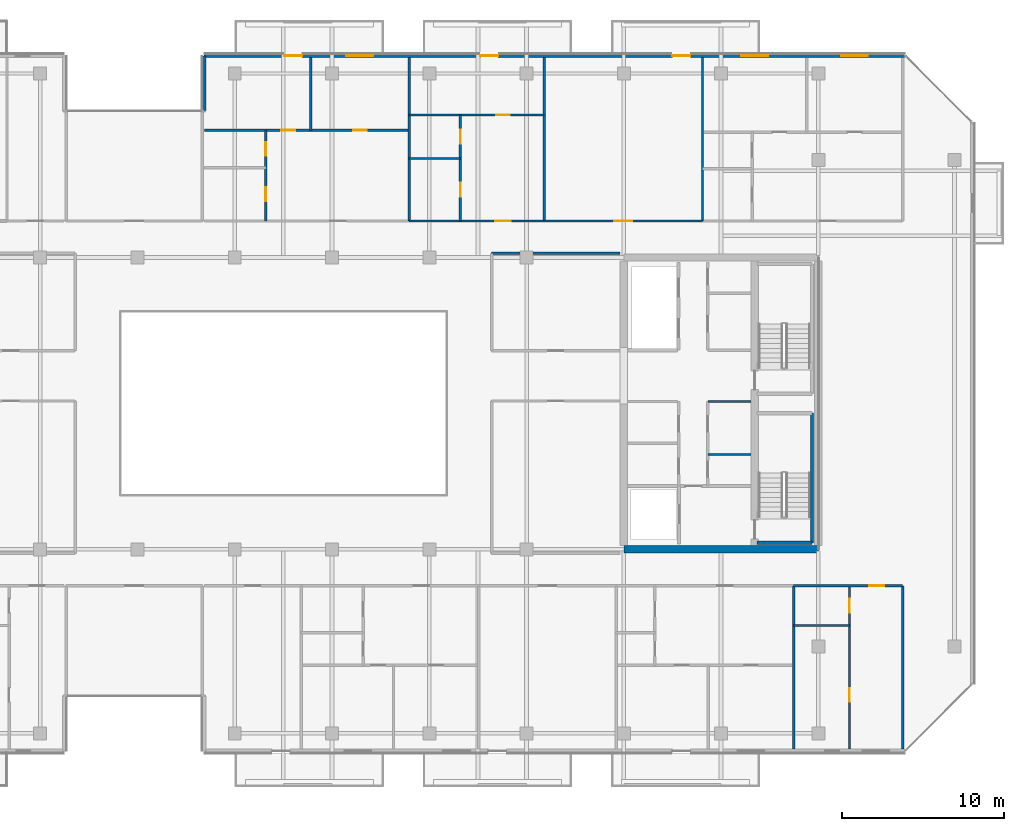
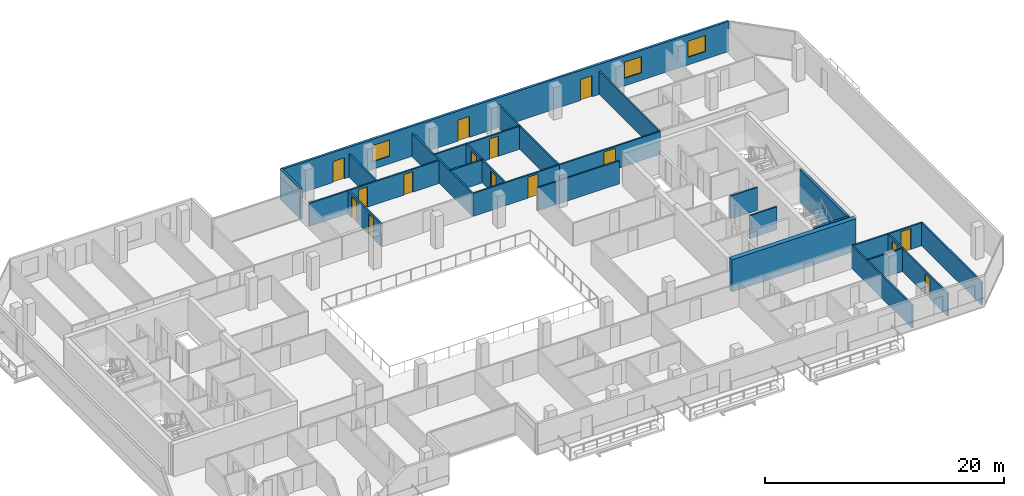
# One storey, part 22 of 29: 24 walls, 15 doors, 3 windows, 18 openings.
"""IFC4 building model written with IfcOpenShell, lengths in metres."""

from ifc_helpers import new_model, si_unit, direction, frame, frame_2d, origin, place, context, subcontext, project, spatial, rectangle, extrude, material, layer, layer_set, type_object, element, fill, save


model = new_model("IFC4")

# Units and contexts
model_context = context("Model", 3, precision=1e-05, world=origin(), true_north=direction((0.0, 1.0)))
body_context = subcontext(model_context, "Body", "Model", "MODEL_VIEW")
ifc_project = project(units=[si_unit("LENGTHUNIT", "METRE"), si_unit("AREAUNIT", "SQUARE_METRE"), si_unit("VOLUMEUNIT", "CUBIC_METRE"), si_unit("PLANEANGLEUNIT", "RADIAN"), si_unit("MASSUNIT", "GRAM", prefix="KILO")], contexts=[model_context])

# Site, building, storey
site_placement = place(None, origin())
site = spatial("IfcSite", under=ifc_project, at=site_placement, CompositionType="ELEMENT")
building_placement = place(site_placement, origin())
building = spatial("IfcBuilding", under=site, at=building_placement, Name="Tanjung Sevakor Pilgrim Tower", CompositionType="ELEMENT")
storey_placement = place(building_placement, frame((0.0, 0.0, 181.830078125)))
storey = spatial("IfcBuildingStorey", under=building, at=storey_placement, Name="L50", CompositionType="ELEMENT", Elevation=181.830078125)

# Walls
ifc_material_1 = material(Name="Concrete C60/75", Category="concrete")
ifc_layer_1 = layer(ifc_material_1, 0.449951171875)
ifc_layer_set_1 = layer_set([ifc_layer_1], Name="WALL-CW-450")
wall_type_1 = type_object("IfcWallType", Name="WALL-CW-450", PredefinedType="SHEAR", material=ifc_layer_set_1)
wall_1_placement = place(storey_placement, frame((78.0, 24.60009765625, 0.0), z_axis=(0.0, 0.0, 1.0), x_axis=(1.0, 0.0, 0.0)))
element("IfcWall", 1, at=wall_1_placement, inside=storey, type_object=wall_type_1, Name="L50 E Core South Shear Wall", PredefinedType="SHEAR", context=body_context, shape_type="SweptSolid", body=[
    extrude(rectangle(XDim=12.0, YDim=0.449951171875, at=frame_2d((6.0, 0.0))), origin(), (0.0, 0.0, 1.0), 3.2998046875),
])
ifc_material_2 = material(Name="Concrete C40/50", Category="concrete")
ifc_layer_2 = layer(ifc_material_2, 0.14990234375)
ifc_layer_set_2 = layer_set([ifc_layer_2], Name="WT-COMP-150")
wall_type_2 = type_object("IfcWallType", Name="WT-COMP-150", PredefinedType="SOLIDWALL", material=ifc_layer_set_2)
for number, where, z_axis, x_axis, name in (
    (2, (83.199951171875, 30.449951171875, 0.0), (0.0, 0.0, 1.0), (1.0, 0.0, 0.0), "L50 Partition IW-L50-016"),
    (3, (83.199951171875, 33.719970703125, 0.0), (0.0, 0.0, 1.0), (1.0, 0.0, 0.0), "L50 Partition IW-L50-017"),
):
    element("IfcWall", number, at=place(storey_placement, frame(where, z_axis=z_axis, x_axis=x_axis)), inside=storey, type_object=wall_type_2, Name=name, PredefinedType="SOLIDWALL", context=body_context, shape_type="SweptSolid", body=[
        extrude(rectangle(XDim=2.630126953125, YDim=0.14990234375, at=frame_2d((1.31494140625, 0.0))), origin(), (0.0, 0.0, 1.0), 2.35009765625),
    ])
wall_2_placement = place(storey_placement, frame((69.85009765625, 42.85009765625, 0.0), z_axis=(0.0, 0.0, 1.0), x_axis=(1.0, 0.0, 0.0)))
element("IfcWall", 4, at=wall_2_placement, inside=storey, type_object=wall_type_2, Name="L50 Partition IW-L50-037", PredefinedType="SOLIDWALL", context=body_context, shape_type="SweptSolid", body=[
    extrude(rectangle(XDim=7.90478515625, YDim=0.14990234375, at=frame_2d((3.952392578125, 0.0))), origin(), (0.0, 0.0, 1.0), 2.35009765625),
])
for number, where, z_axis, x_axis, name in (
    (5, (95.199951171875, 12.27001953125, 0.0), (0.0, 0.0, 1.0), (0.0, 1.0, 0.0), "L50 Partition IW-L50-057"),
    (6, (88.4765625, 12.27001953125, 0.0), (0.0, 0.0, 1.0), (0.0, 1.0, 0.0), "L50 Partition IW-L50-068"),
):
    element("IfcWall", number, at=place(storey_placement, frame(where, z_axis=z_axis, x_axis=x_axis)), inside=storey, type_object=wall_type_2, Name=name, PredefinedType="SOLIDWALL", context=body_context, shape_type="SweptSolid", body=[
        extrude(rectangle(XDim=10.080078125, YDim=0.14990234375, at=frame_2d((5.0400390625, 0.0))), origin(), (0.0, 0.0, 1.0), 2.35009765625),
    ])

# Wall, opening, door
wall_3_placement = place(storey_placement, frame((88.4765625, 22.35009765625, 0.0), z_axis=(0.0, 0.0, 1.0), x_axis=(1.0, 0.0, 0.0)))
wall_3 = element("IfcWall", 7, at=wall_3_placement, inside=storey, type_object=wall_type_2, Name="L50 Partition IW-L50-076", PredefinedType="SOLIDWALL", context=body_context, shape_type="SweptSolid", body=[
    extrude(rectangle(XDim=6.723388671875, YDim=0.14990234375, at=frame_2d((3.36181640625, 0.0))), origin(), (0.0, 0.0, 1.0), 2.35009765625),
])
opening_1_placement = place(wall_3_placement, frame((4.6484375, 0.0, 0.0)))
opening_1 = element("IfcOpeningElement", 8, at=opening_1_placement, cuts=wall_3, Name="Opening ID-FD2", PredefinedType="OPENING", context=body_context, shape_type="SweptSolid", body=[
    extrude(rectangle(XDim=0.949951171875, YDim=2.14990234375, at=frame_2d((0.47509765625, 1.074951171875))), frame((0.0, 0.0849609375, 0.0), z_axis=(0.0, -1.0, 0.0), x_axis=(1.0, 0.0, 0.0)), (0.0, 0.0, 1.0), 0.169921875),
])
ifc_material_3 = material(Name="Fire-Rated Timber", Category="wood")
door_type_1 = type_object("IfcDoorType", Name="DT-FIRE-950", OperationType="NOTDEFINED", PredefinedType="DOOR", material=ifc_material_3)
door_1_placement = place(opening_1_placement, origin())
door_1 = element("IfcDoor", 9, at=door_1_placement, inside=storey, type_object=door_type_1, Name="Hostel Quad Entrance", OperationType="SINGLE_SWING_RIGHT", OverallHeight=2.14990234375, OverallWidth=0.949951171875, PredefinedType="DOOR", context=body_context, shape_type="SweptSolid", body=[
    extrude(rectangle(XDim=0.949951171875, YDim=2.14990234375, at=frame_2d((0.47509765625, 1.074951171875))), frame((0.0, 0.02490234375, 0.0), z_axis=(0.0, -1.0, 0.0), x_axis=(1.0, 0.0, 0.0)), (0.0, 0.0, 1.0), 0.050048828125),
])
fill(opening_1, door_1)

# Walls
for number, where, z_axis, x_axis, name in (
    (10, (64.7568359375, 44.85009765625, 0.0), (0.0, 0.0, 1.0), (0.0, 1.0, 0.0), "L50 Partition IW-L50-086"),
    (11, (73.085693359375, 44.85009765625, 0.0), (0.0, 0.0, 1.0), (0.0, 1.0, 0.0), "L50 Partition IW-L50-092"),
):
    element("IfcWall", number, at=place(storey_placement, frame(where, z_axis=z_axis, x_axis=x_axis)), inside=storey, type_object=wall_type_2, Name=name, PredefinedType="SOLIDWALL", context=body_context, shape_type="SweptSolid", body=[
        extrude(rectangle(XDim=10.079833984375, YDim=0.14990234375, at=frame_2d((5.0400390625, 0.0))), origin(), (0.0, 0.0, 1.0), 2.35009765625),
    ])

# Wall, opening, door
wall_4_placement = place(storey_placement, frame((64.7568359375, 44.85009765625, 0.0), z_axis=(0.0, 0.0, 1.0), x_axis=(1.0, 0.0, 0.0)))
wall_4 = element("IfcWall", 12, at=wall_4_placement, inside=storey, type_object=wall_type_2, Name="L50 Partition IW-L50-096", PredefinedType="SOLIDWALL", context=body_context, shape_type="SweptSolid", body=[
    extrude(rectangle(XDim=8.328857421875, YDim=0.14990234375, at=frame_2d((4.16455078125, 0.0))), origin(), (0.0, 0.0, 1.0), 2.35009765625),
])
opening_2_placement = place(wall_4_placement, frame((5.31103515625, 0.0, 0.0)))
opening_2 = element("IfcOpeningElement", 13, at=opening_2_placement, cuts=wall_4, Name="Opening ID-FD2", PredefinedType="OPENING", context=body_context, shape_type="SweptSolid", body=[
    extrude(rectangle(XDim=0.949951171875, YDim=2.14990234375, at=frame_2d((0.47509765625, 1.074951171875))), frame((0.0, 0.0849609375, 0.0), z_axis=(0.0, -1.0, 0.0), x_axis=(1.0, 0.0, 0.0)), (0.0, 0.0, 1.0), 0.169921875),
])
door_2_placement = place(opening_2_placement, origin())
door_2 = element("IfcDoor", 14, at=door_2_placement, inside=storey, type_object=door_type_1, Name="Residence Entrance", OperationType="SINGLE_SWING_LEFT", OverallHeight=2.14990234375, OverallWidth=0.949951171875, PredefinedType="DOOR", context=body_context, shape_type="SweptSolid", body=[
    extrude(rectangle(XDim=0.949951171875, YDim=2.14990234375, at=frame_2d((0.47509765625, 1.074951171875))), frame((0.0, 0.02490234375, 0.0), z_axis=(0.0, -1.0, 0.0), x_axis=(1.0, 0.0, 0.0)), (0.0, 0.0, 1.0), 0.050048828125),
])
fill(opening_2, door_2)

# Wall
wall_5_placement = place(storey_placement, frame((82.850341796875, 44.85009765625, 0.0), z_axis=(0.0, 0.0, 1.0), x_axis=(0.0, 1.0, 0.0)))
element("IfcWall", 15, at=wall_5_placement, inside=storey, type_object=wall_type_2, Name="L50 Partition IW-L50-097", PredefinedType="SOLIDWALL", context=body_context, shape_type="SweptSolid", body=[
    extrude(rectangle(XDim=10.079833984375, YDim=0.14990234375, at=frame_2d((5.0400390625, 0.0))), origin(), (0.0, 0.0, 1.0), 2.35009765625),
])

# Wall, opening, door
wall_6_placement = place(storey_placement, frame((73.085693359375, 44.85009765625, 0.0), z_axis=(0.0, 0.0, 1.0), x_axis=(1.0, 0.0, 0.0)))
wall_6 = element("IfcWall", 16, at=wall_6_placement, inside=storey, type_object=wall_type_2, Name="L50 Partition IW-L50-098", PredefinedType="SOLIDWALL", context=body_context, shape_type="SweptSolid", body=[
    extrude(rectangle(XDim=9.7646484375, YDim=0.14990234375, at=frame_2d((4.88232421875, 0.0))), origin(), (0.0, 0.0, 1.0), 2.35009765625),
])
opening_3_placement = place(wall_6_placement, frame((4.33251953125, 0.0, 0.0)))
opening_3 = element("IfcOpeningElement", 17, at=opening_3_placement, cuts=wall_6, Name="Opening ID-FD0", PredefinedType="OPENING", context=body_context, shape_type="SweptSolid", body=[
    extrude(rectangle(XDim=1.10009765625, YDim=2.14990234375, at=frame_2d((0.550048828125, 1.074951171875))), frame((0.0, 0.0849609375, 0.0), z_axis=(0.0, -1.0, 0.0), x_axis=(1.0, 0.0, 0.0)), (0.0, 0.0, 1.0), 0.169921875),
])
ifc_material_4 = material(Name="Fire-Rated Steel S355J2", Category="steel")
door_type_2 = type_object("IfcDoorType", Name="DT-FIRE-1100", OperationType="NOTDEFINED", PredefinedType="DOOR", material=ifc_material_4)
door_3_placement = place(opening_3_placement, origin())
door_3 = element("IfcDoor", 18, at=door_3_placement, inside=storey, type_object=door_type_2, Name="Council Room Door", OperationType="SINGLE_SWING_RIGHT", OverallHeight=2.14990234375, OverallWidth=1.10009765625, PredefinedType="DOOR", context=body_context, shape_type="SweptSolid", body=[
    extrude(rectangle(XDim=1.10009765625, YDim=2.14990234375, at=frame_2d((0.550048828125, 1.074951171875))), frame((0.0, 0.02490234375, 0.0), z_axis=(0.0, -1.0, 0.0), x_axis=(1.0, 0.0, 0.0)), (0.0, 0.0, 1.0), 0.050048828125),
])
fill(opening_3, door_3)

# Wall, openings, doors, windows
ifc_material_5 = material(Name="Precast concrete C45/55", Category="concrete")
ifc_layer_3 = layer(ifc_material_5, 0.219970703125)
ifc_layer_set_3 = layer_set([ifc_layer_3], Name="WT-EW-STN4")
wall_type_3 = type_object("IfcWallType", Name="WT-EW-STN4", PredefinedType="SOLIDWALL", material=ifc_layer_set_3)
wall_7_placement = place(storey_placement, frame((95.3544921875, 55.0400390625, 0.0), z_axis=(0.0, 0.0, 1.0), x_axis=(-1.0, 0.0, 0.0)))
wall_7 = element("IfcWall", 19, at=wall_7_placement, inside=storey, type_object=wall_type_3, Name="L50 MAIN Exterior Wall 9", PredefinedType="SOLIDWALL", context=body_context, shape_type="SweptSolid", body=[
    extrude(rectangle(XDim=43.244384765625, YDim=0.219970703125, at=frame_2d((21.6220703125, 0.0))), origin(), (0.0, 0.0, 1.0), 3.080078125),
])
opening_4_placement = place(wall_7_placement, frame((37.204345703125, 0.0, 0.0)))
opening_4 = element("IfcOpeningElement", 20, at=opening_4_placement, cuts=wall_7, Name="Opening ED-BAL-1100", PredefinedType="OPENING", context=body_context, shape_type="SweptSolid", body=[
    extrude(rectangle(XDim=1.10009765625, YDim=2.14990234375, at=frame_2d((0.550048828125, 1.074951171875))), frame((0.0, 0.119873046875, 0.0), z_axis=(0.0, -1.0, 0.0), x_axis=(1.0, 0.0, 0.0)), (0.0, 0.0, 1.0), 0.239990234375),
])
opening_5_placement = place(wall_7_placement, frame((25.1044921875, 0.0, 0.0)))
opening_5 = element("IfcOpeningElement", 21, at=opening_5_placement, cuts=wall_7, Name="Opening ED-BAL-1100", PredefinedType="OPENING", context=body_context, shape_type="SweptSolid", body=[
    extrude(rectangle(XDim=1.10009765625, YDim=2.14990234375, at=frame_2d((0.550048828125, 1.074951171875))), frame((0.0, 0.119873046875, 0.0), z_axis=(0.0, -1.0, 0.0), x_axis=(1.0, 0.0, 0.0)), (0.0, 0.0, 1.0), 0.239990234375),
])
opening_6_placement = place(wall_7_placement, frame((13.25439453125, 0.0, 0.0)))
opening_6 = element("IfcOpeningElement", 22, at=opening_6_placement, cuts=wall_7, Name="Opening ED-BAL-1100", PredefinedType="OPENING", context=body_context, shape_type="SweptSolid", body=[
    extrude(rectangle(XDim=1.10009765625, YDim=2.14990234375, at=frame_2d((0.550048828125, 1.074951171875))), frame((0.0, 0.119873046875, 0.0), z_axis=(0.0, -1.0, 0.0), x_axis=(1.0, 0.0, 0.0)), (0.0, 0.0, 1.0), 0.239990234375),
])
opening_7_placement = place(wall_7_placement, frame((32.8154296875, 0.0, 0.780029296875)))
opening_7 = element("IfcOpeningElement", 23, at=opening_7_placement, cuts=wall_7, Name="Opening WN-Z4-1660", PredefinedType="OPENING", context=body_context, shape_type="SweptSolid", body=[
    extrude(rectangle(XDim=1.64990234375, YDim=1.659912109375, at=frame_2d((0.824951171875, 0.830078125))), frame((0.0, 0.119873046875, 0.0), z_axis=(0.0, -1.0, 0.0), x_axis=(1.0, 0.0, 0.0)), (0.0, 0.0, 1.0), 0.239990234375),
])
opening_8_placement = place(wall_7_placement, frame((8.4580078125, 0.0, 0.780029296875)))
opening_8 = element("IfcOpeningElement", 24, at=opening_8_placement, cuts=wall_7, Name="Opening WN-Z4-1660", PredefinedType="OPENING", context=body_context, shape_type="SweptSolid", body=[
    extrude(rectangle(XDim=1.64990234375, YDim=1.659912109375, at=frame_2d((0.824951171875, 0.830078125))), frame((0.0, 0.119873046875, 0.0), z_axis=(0.0, -1.0, 0.0), x_axis=(1.0, 0.0, 0.0)), (0.0, 0.0, 1.0), 0.239990234375),
])
opening_9_placement = place(wall_7_placement, frame((2.30322265625, 0.0, 0.780029296875)))
opening_9 = element("IfcOpeningElement", 25, at=opening_9_placement, cuts=wall_7, Name="Opening WN-Z4-1660", PredefinedType="OPENING", context=body_context, shape_type="SweptSolid", body=[
    extrude(rectangle(XDim=1.64990234375, YDim=1.659912109375, at=frame_2d((0.824951171875, 0.830078125))), frame((0.0, 0.119873046875, 0.0), z_axis=(0.0, -1.0, 0.0), x_axis=(1.0, 0.0, 0.0)), (0.0, 0.0, 1.0), 0.239990234375),
])
ifc_material_6 = material(Name="Anodised Aluminium and Laminated Glass", Category="aluminium")
door_type_3 = type_object("IfcDoorType", Name="DTYP-ED-BAL-1100", OperationType="NOTDEFINED", PredefinedType="DOOR", material=ifc_material_6)
door_4_placement = place(opening_4_placement, frame((1.10009765625, 0.0, 0.0), z_axis=(0.0, 0.0, 1.0), x_axis=(-1.0, 0.0, 0.0)))
door_4 = element("IfcDoor", 26, at=door_4_placement, inside=storey, type_object=door_type_3, Name="L50 Balcony Door MAIN-N2", OperationType="SINGLE_SWING_RIGHT", OverallHeight=2.14990234375, OverallWidth=1.10009765625, PredefinedType="DOOR", context=body_context, shape_type="SweptSolid", body=[
    extrude(rectangle(XDim=1.10009765625, YDim=2.14990234375, at=frame_2d((0.550048828125, 1.074951171875))), frame((0.0, 0.02490234375, 0.0), z_axis=(0.0, -1.0, 0.0), x_axis=(1.0, 0.0, 0.0)), (0.0, 0.0, 1.0), 0.050048828125),
])
fill(opening_4, door_4)
door_5_placement = place(opening_5_placement, frame((1.10009765625, 0.0, 0.0), z_axis=(0.0, 0.0, 1.0), x_axis=(-1.0, 0.0, 0.0)))
door_5 = element("IfcDoor", 27, at=door_5_placement, inside=storey, type_object=door_type_3, Name="L50 Balcony Door MAIN-N3", OperationType="SINGLE_SWING_LEFT", OverallHeight=2.14990234375, OverallWidth=1.10009765625, PredefinedType="DOOR", context=body_context, shape_type="SweptSolid", body=[
    extrude(rectangle(XDim=1.10009765625, YDim=2.14990234375, at=frame_2d((0.550048828125, 1.074951171875))), frame((0.0, 0.02490234375, 0.0), z_axis=(0.0, -1.0, 0.0), x_axis=(1.0, 0.0, 0.0)), (0.0, 0.0, 1.0), 0.050048828125),
])
fill(opening_5, door_5)
door_6_placement = place(opening_6_placement, frame((1.10009765625, 0.0, 0.0), z_axis=(0.0, 0.0, 1.0), x_axis=(-1.0, 0.0, 0.0)))
door_6 = element("IfcDoor", 28, at=door_6_placement, inside=storey, type_object=door_type_3, Name="L50 Balcony Door MAIN-N4", OperationType="SINGLE_SWING_RIGHT", OverallHeight=2.14990234375, OverallWidth=1.10009765625, PredefinedType="DOOR", context=body_context, shape_type="SweptSolid", body=[
    extrude(rectangle(XDim=1.10009765625, YDim=2.14990234375, at=frame_2d((0.550048828125, 1.074951171875))), frame((0.0, 0.02490234375, 0.0), z_axis=(0.0, -1.0, 0.0), x_axis=(1.0, 0.0, 0.0)), (0.0, 0.0, 1.0), 0.050048828125),
])
fill(opening_6, door_6)
ifc_material_7 = material(Name="Thermally Broken Aluminium and Low-E Glass", Category="aluminium")
window_type = type_object("IfcWindowType", Name="WTYP-WN-Z4-1660", PartitioningType="DOUBLE_PANEL_VERTICAL", PredefinedType="WINDOW", material=ifc_material_7)
window_1_placement = place(opening_7_placement, origin())
window_1 = element("IfcWindow", 29, at=window_1_placement, inside=storey, type_object=window_type, Name="L50 Facade Window 01", OverallHeight=1.659912109375, OverallWidth=1.64990234375, PartitioningType="SINGLE_PANEL", PredefinedType="WINDOW", context=body_context, shape_type="SweptSolid", body=[
    extrude(rectangle(XDim=1.64990234375, YDim=1.659912109375, at=frame_2d((0.824951171875, 0.830078125))), frame((0.0, 0.030029296875, 0.0), z_axis=(0.0, -1.0, 0.0), x_axis=(1.0, 0.0, 0.0)), (0.0, 0.0, 1.0), 0.06005859375),
])
fill(opening_7, window_1)
window_2_placement = place(opening_8_placement, origin())
window_2 = element("IfcWindow", 30, at=window_2_placement, inside=storey, type_object=window_type, Name="L50 Facade Window 02", OverallHeight=1.659912109375, OverallWidth=1.64990234375, PartitioningType="SINGLE_PANEL", PredefinedType="WINDOW", context=body_context, shape_type="SweptSolid", body=[
    extrude(rectangle(XDim=1.64990234375, YDim=1.659912109375, at=frame_2d((0.824951171875, 0.830078125))), frame((0.0, 0.030029296875, 0.0), z_axis=(0.0, -1.0, 0.0), x_axis=(1.0, 0.0, 0.0)), (0.0, 0.0, 1.0), 0.06005859375),
])
fill(opening_8, window_2)
window_3_placement = place(opening_9_placement, origin())
window_3 = element("IfcWindow", 31, at=window_3_placement, inside=storey, type_object=window_type, Name="L50 Facade Window 03", OverallHeight=1.659912109375, OverallWidth=1.64990234375, PartitioningType="SINGLE_PANEL", PredefinedType="WINDOW", context=body_context, shape_type="SweptSolid", body=[
    extrude(rectangle(XDim=1.64990234375, YDim=1.659912109375, at=frame_2d((0.824951171875, 0.830078125))), frame((0.0, 0.030029296875, 0.0), z_axis=(0.0, -1.0, 0.0), x_axis=(1.0, 0.0, 0.0)), (0.0, 0.0, 1.0), 0.06005859375),
])
fill(opening_9, window_3)

# Walls
wall_8_placement = place(storey_placement, frame((52.110107421875, 55.0400390625, 0.0), z_axis=(0.0, 0.0, 1.0), x_axis=(0.0, -1.0, 0.0)))
element("IfcWall", 32, at=wall_8_placement, inside=storey, type_object=wall_type_3, Name="L50 MAIN Exterior Wall 10", PredefinedType="SOLIDWALL", context=body_context, shape_type="SweptSolid", body=[
    extrude(rectangle(XDim=3.400146484375, YDim=0.219970703125, at=frame_2d((1.7001953125, 0.0))), origin(), (0.0, 0.0, 1.0), 3.080078125),
])
ifc_material_8 = material(Name="Concrete C40/50", Category="concrete")
ifc_layer_4 = layer(ifc_material_8, 0.199951171875)
ifc_layer_set_4 = layer_set([ifc_layer_4], Name="WT-FIRE-200")
wall_type_4 = type_object("IfcWallType", Name="WT-FIRE-200", PredefinedType="SOLIDWALL", material=ifc_layer_set_4)
wall_9_placement = place(storey_placement, frame((86.199951171875, 25.0, 0.0), z_axis=(0.0, 0.0, 1.0), x_axis=(1.0, 0.0, 0.0)))
element("IfcWall", 33, at=wall_9_placement, inside=storey, type_object=wall_type_4, Name="L50 TS-E1 Shaft Wall 1", PredefinedType="SOLIDWALL", context=body_context, shape_type="SweptSolid", body=[
    extrude(rectangle(XDim=3.400146484375, YDim=0.199951171875, at=frame_2d((1.7001953125, 0.0))), origin(), (0.0, 0.0, 1.0), 3.2998046875),
])
wall_10_placement = place(storey_placement, frame((89.60009765625, 25.0, 0.0), z_axis=(0.0, 0.0, 1.0), x_axis=(0.0, 1.0, 0.0)))
element("IfcWall", 34, at=wall_10_placement, inside=storey, type_object=wall_type_4, Name="L50 TS-E1 Shaft Wall 2", PredefinedType="SOLIDWALL", context=body_context, shape_type="SweptSolid", body=[
    extrude(rectangle(XDim=8.0, YDim=0.199951171875, at=frame_2d((4.0, 0.0))), origin(), (0.0, 0.0, 1.0), 3.2998046875),
])
ifc_material_9 = material(Name="Gypsum Board Partition", Category="gypsum board")
ifc_layer_5 = layer(ifc_material_9, 0.14990234375)
ifc_layer_set_5 = layer_set([ifc_layer_5], Name="WT-PART-150")
wall_type_5 = type_object("IfcWallType", Name="WT-PART-150", PredefinedType="PARTITIONING", material=ifc_layer_set_5)
wall_11_placement = place(storey_placement, frame((88.4765625, 19.89990234375, 0.0), z_axis=(0.0, 0.0, 1.0), x_axis=(1.0, 0.0, 0.0)))
element("IfcWall", 35, at=wall_11_placement, inside=storey, type_object=wall_type_5, Name="L50 Partition IW-L50-074", PredefinedType="PARTITIONING", context=body_context, shape_type="SweptSolid", body=[
    extrude(rectangle(XDim=3.443359375, YDim=0.14990234375, at=frame_2d((1.7216796875, 0.0))), origin(), (0.0, 0.0, 1.0), 2.35009765625),
])

# Wall, openings, doors
wall_12_placement = place(storey_placement, frame((91.919921875, 12.27001953125, 0.0), z_axis=(0.0, 0.0, 1.0), x_axis=(0.0, 1.0, 0.0)))
wall_12 = element("IfcWall", 36, at=wall_12_placement, inside=storey, type_object=wall_type_5, Name="L50 Partition IW-L50-075", PredefinedType="PARTITIONING", context=body_context, shape_type="SweptSolid", body=[
    extrude(rectangle(XDim=10.080078125, YDim=0.14990234375, at=frame_2d((5.0400390625, 0.0))), origin(), (0.0, 0.0, 1.0), 2.35009765625),
])
opening_10_placement = place(wall_12_placement, frame((2.912109375, 0.0, 0.0)))
opening_10 = element("IfcOpeningElement", 37, at=opening_10_placement, cuts=wall_12, Name="Opening ID-WC1", PredefinedType="OPENING", context=body_context, shape_type="SweptSolid", body=[
    extrude(rectangle(XDim=0.85009765625, YDim=2.10009765625, at=frame_2d((0.425048828125, 1.050048828125))), frame((0.0, 0.0849609375, 0.0), z_axis=(0.0, -1.0, 0.0), x_axis=(1.0, 0.0, 0.0)), (0.0, 0.0, 1.0), 0.169921875),
])
opening_11_placement = place(wall_12_placement, frame((8.429931640625, 0.0, 0.0)))
opening_11 = element("IfcOpeningElement", 38, at=opening_11_placement, cuts=wall_12, Name="Opening ID-WC1", PredefinedType="OPENING", context=body_context, shape_type="SweptSolid", body=[
    extrude(rectangle(XDim=0.85009765625, YDim=2.10009765625, at=frame_2d((0.425048828125, 1.050048828125))), frame((0.0, 0.0849609375, 0.0), z_axis=(0.0, -1.0, 0.0), x_axis=(1.0, 0.0, 0.0)), (0.0, 0.0, 1.0), 0.169921875),
])
ifc_material_10 = material(Name="Moisture-Resistant Timber", Category="wood")
door_type_4 = type_object("IfcDoorType", Name="DT-INT-850", OperationType="NOTDEFINED", PredefinedType="DOOR", material=ifc_material_10)
door_7_placement = place(opening_10_placement, origin())
door_7 = element("IfcDoor", 39, at=door_7_placement, inside=storey, type_object=door_type_4, Name="Study Nook Door", OperationType="SINGLE_SWING_RIGHT", OverallHeight=2.10009765625, OverallWidth=0.85009765625, PredefinedType="DOOR", context=body_context, shape_type="SweptSolid", body=[
    extrude(rectangle(XDim=0.85009765625, YDim=2.10009765625, at=frame_2d((0.425048828125, 1.050048828125))), frame((0.0, 0.02490234375, 0.0), z_axis=(0.0, -1.0, 0.0), x_axis=(1.0, 0.0, 0.0)), (0.0, 0.0, 1.0), 0.050048828125),
])
fill(opening_10, door_7)
door_8_placement = place(opening_11_placement, origin())
door_8 = element("IfcDoor", 40, at=door_8_placement, inside=storey, type_object=door_type_4, Name="Bathroom Door", OperationType="SINGLE_SWING_LEFT", OverallHeight=2.10009765625, OverallWidth=0.85009765625, PredefinedType="DOOR", context=body_context, shape_type="SweptSolid", body=[
    extrude(rectangle(XDim=0.85009765625, YDim=2.10009765625, at=frame_2d((0.425048828125, 1.050048828125))), frame((0.0, 0.02490234375, 0.0), z_axis=(0.0, -1.0, 0.0), x_axis=(1.0, 0.0, 0.0)), (0.0, 0.0, 1.0), 0.050048828125),
])
fill(opening_11, door_8)

wall_13_placement = place(storey_placement, frame((55.919921875, 44.85009765625, 0.0), z_axis=(0.0, 0.0, 1.0), x_axis=(0.0, 1.0, 0.0)))
wall_13 = element("IfcWall", 41, at=wall_13_placement, inside=storey, type_object=wall_type_5, Name="L50 Partition IW-L50-088", PredefinedType="PARTITIONING", context=body_context, shape_type="SweptSolid", body=[
    extrude(rectangle(XDim=5.590576171875, YDim=0.14990234375, at=frame_2d((2.79541015625, 0.0))), origin(), (0.0, 0.0, 1.0), 2.35009765625),
])
opening_12_placement = place(wall_13_placement, frame((1.22412109375, 0.0, 0.0)))
opening_12 = element("IfcOpeningElement", 42, at=opening_12_placement, cuts=wall_13, Name="Opening ID-WC1", PredefinedType="OPENING", context=body_context, shape_type="SweptSolid", body=[
    extrude(rectangle(XDim=0.85009765625, YDim=2.10009765625, at=frame_2d((0.425048828125, 1.050048828125))), frame((0.0, 0.0849609375, 0.0), z_axis=(0.0, -1.0, 0.0), x_axis=(1.0, 0.0, 0.0)), (0.0, 0.0, 1.0), 0.169921875),
])
opening_13_placement = place(wall_13_placement, frame((4.01953125, 0.0, 0.0)))
opening_13 = element("IfcOpeningElement", 43, at=opening_13_placement, cuts=wall_13, Name="Opening ID-WC1", PredefinedType="OPENING", context=body_context, shape_type="SweptSolid", body=[
    extrude(rectangle(XDim=0.85009765625, YDim=2.10009765625, at=frame_2d((0.425048828125, 1.050048828125))), frame((0.0, 0.0849609375, 0.0), z_axis=(0.0, -1.0, 0.0), x_axis=(1.0, 0.0, 0.0)), (0.0, 0.0, 1.0), 0.169921875),
])
door_9_placement = place(opening_12_placement, origin())
door_9 = element("IfcDoor", 44, at=door_9_placement, inside=storey, type_object=door_type_4, Name="Suite Kitchenette Door", OperationType="SINGLE_SWING_LEFT", OverallHeight=2.10009765625, OverallWidth=0.85009765625, PredefinedType="DOOR", context=body_context, shape_type="SweptSolid", body=[
    extrude(rectangle(XDim=0.85009765625, YDim=2.10009765625, at=frame_2d((0.425048828125, 1.050048828125))), frame((0.0, 0.02490234375, 0.0), z_axis=(0.0, -1.0, 0.0), x_axis=(1.0, 0.0, 0.0)), (0.0, 0.0, 1.0), 0.050048828125),
])
fill(opening_12, door_9)
door_10_placement = place(opening_13_placement, origin())
door_10 = element("IfcDoor", 45, at=door_10_placement, inside=storey, type_object=door_type_4, Name="Suite Bathroom Door", OperationType="SINGLE_SWING_RIGHT", OverallHeight=2.10009765625, OverallWidth=0.85009765625, PredefinedType="DOOR", context=body_context, shape_type="SweptSolid", body=[
    extrude(rectangle(XDim=0.85009765625, YDim=2.10009765625, at=frame_2d((0.425048828125, 1.050048828125))), frame((0.0, 0.02490234375, 0.0), z_axis=(0.0, -1.0, 0.0), x_axis=(1.0, 0.0, 0.0)), (0.0, 0.0, 1.0), 0.050048828125),
])
fill(opening_13, door_10)

# Wall
wall_14_placement = place(storey_placement, frame((58.691162109375, 50.440673828125, 0.0), z_axis=(0.0, 0.0, 1.0), x_axis=(0.0, 1.0, 0.0)))
element("IfcWall", 46, at=wall_14_placement, inside=storey, type_object=wall_type_5, Name="L50 Partition IW-L50-089", PredefinedType="PARTITIONING", context=body_context, shape_type="SweptSolid", body=[
    extrude(rectangle(XDim=4.4892578125, YDim=0.14990234375, at=frame_2d((2.24462890625, 0.0))), origin(), (0.0, 0.0, 1.0), 2.35009765625),
])

# Wall, openings, doors
wall_15_placement = place(storey_placement, frame((52.1201171875, 50.440673828125, 0.0), z_axis=(0.0, 0.0, 1.0), x_axis=(1.0, 0.0, 0.0)))
wall_15 = element("IfcWall", 47, at=wall_15_placement, inside=storey, type_object=wall_type_5, Name="L50 Partition IW-L50-090", PredefinedType="PARTITIONING", context=body_context, shape_type="SweptSolid", body=[
    extrude(rectangle(XDim=12.63671875, YDim=0.14990234375, at=frame_2d((6.318359375, 0.0))), origin(), (0.0, 0.0, 1.0), 2.35009765625),
])
opening_14_placement = place(wall_15_placement, frame((4.760498046875, 0.0, 0.0)))
opening_14 = element("IfcOpeningElement", 48, at=opening_14_placement, cuts=wall_15, Name="Opening ID-WC1", PredefinedType="OPENING", context=body_context, shape_type="SweptSolid", body=[
    extrude(rectangle(XDim=0.85009765625, YDim=2.10009765625, at=frame_2d((0.425048828125, 1.050048828125))), frame((0.0, 0.0849609375, 0.0), z_axis=(0.0, -1.0, 0.0), x_axis=(1.0, 0.0, 0.0)), (0.0, 0.0, 1.0), 0.169921875),
])
opening_15_placement = place(wall_15_placement, frame((9.178955078125, 0.0, 0.0)))
opening_15 = element("IfcOpeningElement", 49, at=opening_15_placement, cuts=wall_15, Name="Opening ID-WC1", PredefinedType="OPENING", context=body_context, shape_type="SweptSolid", body=[
    extrude(rectangle(XDim=0.85009765625, YDim=2.10009765625, at=frame_2d((0.425048828125, 1.050048828125))), frame((0.0, 0.0849609375, 0.0), z_axis=(0.0, -1.0, 0.0), x_axis=(1.0, 0.0, 0.0)), (0.0, 0.0, 1.0), 0.169921875),
])
door_11_placement = place(opening_14_placement, origin())
door_11 = element("IfcDoor", 50, at=door_11_placement, inside=storey, type_object=door_type_4, Name="Suite Bedroom 1 Door", OperationType="SINGLE_SWING_LEFT", OverallHeight=2.10009765625, OverallWidth=0.85009765625, PredefinedType="DOOR", context=body_context, shape_type="SweptSolid", body=[
    extrude(rectangle(XDim=0.85009765625, YDim=2.10009765625, at=frame_2d((0.425048828125, 1.050048828125))), frame((0.0, 0.02490234375, 0.0), z_axis=(0.0, -1.0, 0.0), x_axis=(1.0, 0.0, 0.0)), (0.0, 0.0, 1.0), 0.050048828125),
])
fill(opening_14, door_11)
door_12_placement = place(opening_15_placement, origin())
door_12 = element("IfcDoor", 51, at=door_12_placement, inside=storey, type_object=door_type_4, Name="Suite Bedroom 2 Door", OperationType="SINGLE_SWING_RIGHT", OverallHeight=2.10009765625, OverallWidth=0.85009765625, PredefinedType="DOOR", context=body_context, shape_type="SweptSolid", body=[
    extrude(rectangle(XDim=0.85009765625, YDim=2.10009765625, at=frame_2d((0.425048828125, 1.050048828125))), frame((0.0, 0.02490234375, 0.0), z_axis=(0.0, -1.0, 0.0), x_axis=(1.0, 0.0, 0.0)), (0.0, 0.0, 1.0), 0.050048828125),
])
fill(opening_15, door_12)

# Wall
wall_16_placement = place(storey_placement, frame((64.7568359375, 48.70751953125, 0.0), z_axis=(0.0, 0.0, 1.0), x_axis=(1.0, 0.0, 0.0)))
element("IfcWall", 52, at=wall_16_placement, inside=storey, type_object=wall_type_5, Name="L50 Partition IW-L50-093", PredefinedType="PARTITIONING", context=body_context, shape_type="SweptSolid", body=[
    extrude(rectangle(XDim=3.1630859375, YDim=0.14990234375, at=frame_2d((1.58154296875, 0.0))), origin(), (0.0, 0.0, 1.0), 2.35009765625),
])

# Wall, openings, doors
wall_17_placement = place(storey_placement, frame((67.919921875, 44.85009765625, 0.0), z_axis=(0.0, 0.0, 1.0), x_axis=(0.0, 1.0, 0.0)))
wall_17 = element("IfcWall", 53, at=wall_17_placement, inside=storey, type_object=wall_type_5, Name="L50 Partition IW-L50-094", PredefinedType="PARTITIONING", context=body_context, shape_type="SweptSolid", body=[
    extrude(rectangle(XDim=6.5380859375, YDim=0.14990234375, at=frame_2d((3.26904296875, 0.0))), origin(), (0.0, 0.0, 1.0), 2.35009765625),
])
opening_16_placement = place(wall_17_placement, frame((1.50390625, 0.0, 0.0)))
opening_16 = element("IfcOpeningElement", 54, at=opening_16_placement, cuts=wall_17, Name="Opening ID-WC1", PredefinedType="OPENING", context=body_context, shape_type="SweptSolid", body=[
    extrude(rectangle(XDim=0.85009765625, YDim=2.10009765625, at=frame_2d((0.425048828125, 1.050048828125))), frame((0.0, 0.0849609375, 0.0), z_axis=(0.0, -1.0, 0.0), x_axis=(1.0, 0.0, 0.0)), (0.0, 0.0, 1.0), 0.169921875),
])
opening_17_placement = place(wall_17_placement, frame((4.772705078125, 0.0, 0.0)))
opening_17 = element("IfcOpeningElement", 55, at=opening_17_placement, cuts=wall_17, Name="Opening ID-WC1", PredefinedType="OPENING", context=body_context, shape_type="SweptSolid", body=[
    extrude(rectangle(XDim=0.85009765625, YDim=2.10009765625, at=frame_2d((0.425048828125, 1.050048828125))), frame((0.0, 0.0849609375, 0.0), z_axis=(0.0, -1.0, 0.0), x_axis=(1.0, 0.0, 0.0)), (0.0, 0.0, 1.0), 0.169921875),
])
door_13_placement = place(opening_16_placement, origin())
door_13 = element("IfcDoor", 56, at=door_13_placement, inside=storey, type_object=door_type_4, Name="Residence Kitchenette Door", OperationType="SINGLE_SWING_RIGHT", OverallHeight=2.10009765625, OverallWidth=0.85009765625, PredefinedType="DOOR", context=body_context, shape_type="SweptSolid", body=[
    extrude(rectangle(XDim=0.85009765625, YDim=2.10009765625, at=frame_2d((0.425048828125, 1.050048828125))), frame((0.0, 0.02490234375, 0.0), z_axis=(0.0, -1.0, 0.0), x_axis=(1.0, 0.0, 0.0)), (0.0, 0.0, 1.0), 0.050048828125),
])
fill(opening_16, door_13)
door_14_placement = place(opening_17_placement, origin())
door_14 = element("IfcDoor", 57, at=door_14_placement, inside=storey, type_object=door_type_4, Name="Residence Bathroom Door", OperationType="SINGLE_SWING_LEFT", OverallHeight=2.10009765625, OverallWidth=0.85009765625, PredefinedType="DOOR", context=body_context, shape_type="SweptSolid", body=[
    extrude(rectangle(XDim=0.85009765625, YDim=2.10009765625, at=frame_2d((0.425048828125, 1.050048828125))), frame((0.0, 0.02490234375, 0.0), z_axis=(0.0, -1.0, 0.0), x_axis=(1.0, 0.0, 0.0)), (0.0, 0.0, 1.0), 0.050048828125),
])
fill(opening_17, door_14)

# Wall, opening, door
wall_18_placement = place(storey_placement, frame((64.7568359375, 51.38818359375, 0.0), z_axis=(0.0, 0.0, 1.0), x_axis=(1.0, 0.0, 0.0)))
wall_18 = element("IfcWall", 58, at=wall_18_placement, inside=storey, type_object=wall_type_5, Name="L50 Partition IW-L50-095", PredefinedType="PARTITIONING", context=body_context, shape_type="SweptSolid", body=[
    extrude(rectangle(XDim=8.328857421875, YDim=0.14990234375, at=frame_2d((4.16455078125, 0.0))), origin(), (0.0, 0.0, 1.0), 2.35009765625),
])
opening_18_placement = place(wall_18_placement, frame((5.361083984375, 0.0, 0.0)))
opening_18 = element("IfcOpeningElement", 59, at=opening_18_placement, cuts=wall_18, Name="Opening ID-WC1", PredefinedType="OPENING", context=body_context, shape_type="SweptSolid", body=[
    extrude(rectangle(XDim=0.85009765625, YDim=2.10009765625, at=frame_2d((0.425048828125, 1.050048828125))), frame((0.0, 0.0849609375, 0.0), z_axis=(0.0, -1.0, 0.0), x_axis=(1.0, 0.0, 0.0)), (0.0, 0.0, 1.0), 0.169921875),
])
door_15_placement = place(opening_18_placement, origin())
door_15 = element("IfcDoor", 60, at=door_15_placement, inside=storey, type_object=door_type_4, Name="Residence Bedroom Door", OperationType="SINGLE_SWING_RIGHT", OverallHeight=2.10009765625, OverallWidth=0.85009765625, PredefinedType="DOOR", context=body_context, shape_type="SweptSolid", body=[
    extrude(rectangle(XDim=0.85009765625, YDim=2.10009765625, at=frame_2d((0.425048828125, 1.050048828125))), frame((0.0, 0.02490234375, 0.0), z_axis=(0.0, -1.0, 0.0), x_axis=(1.0, 0.0, 0.0)), (0.0, 0.0, 1.0), 0.050048828125),
])
fill(opening_18, door_15)

save(model, "model.ifc")
